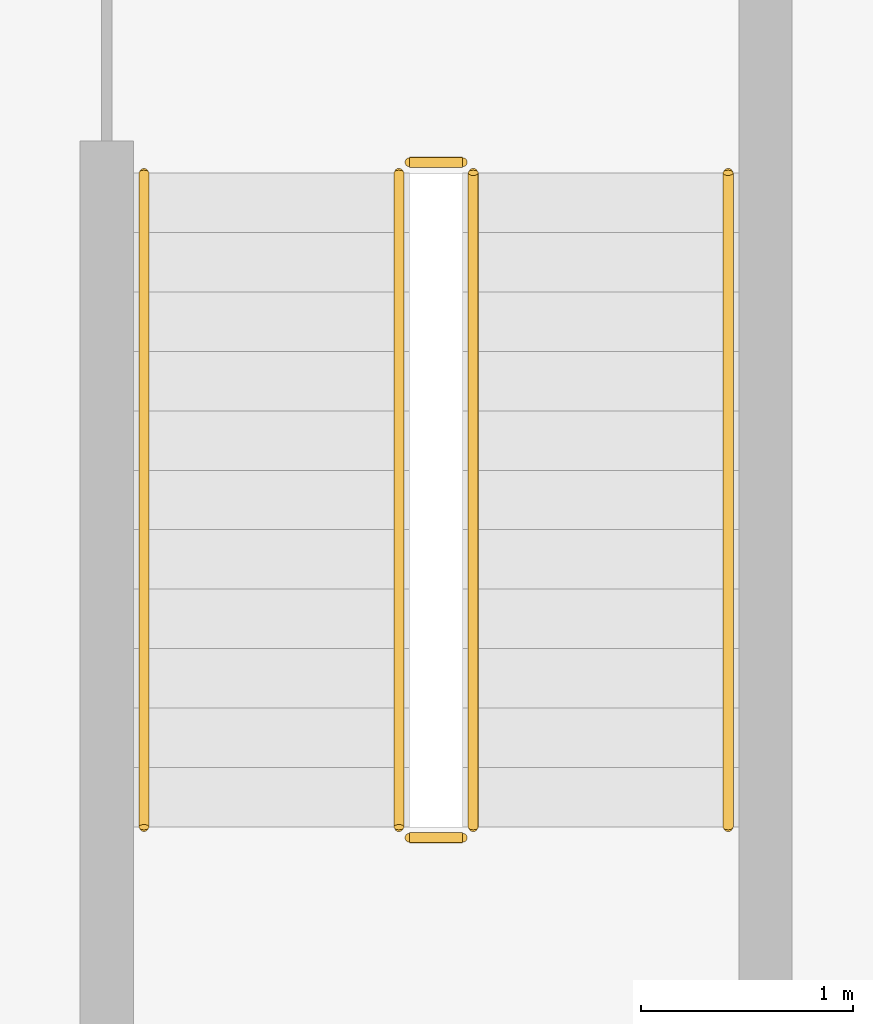
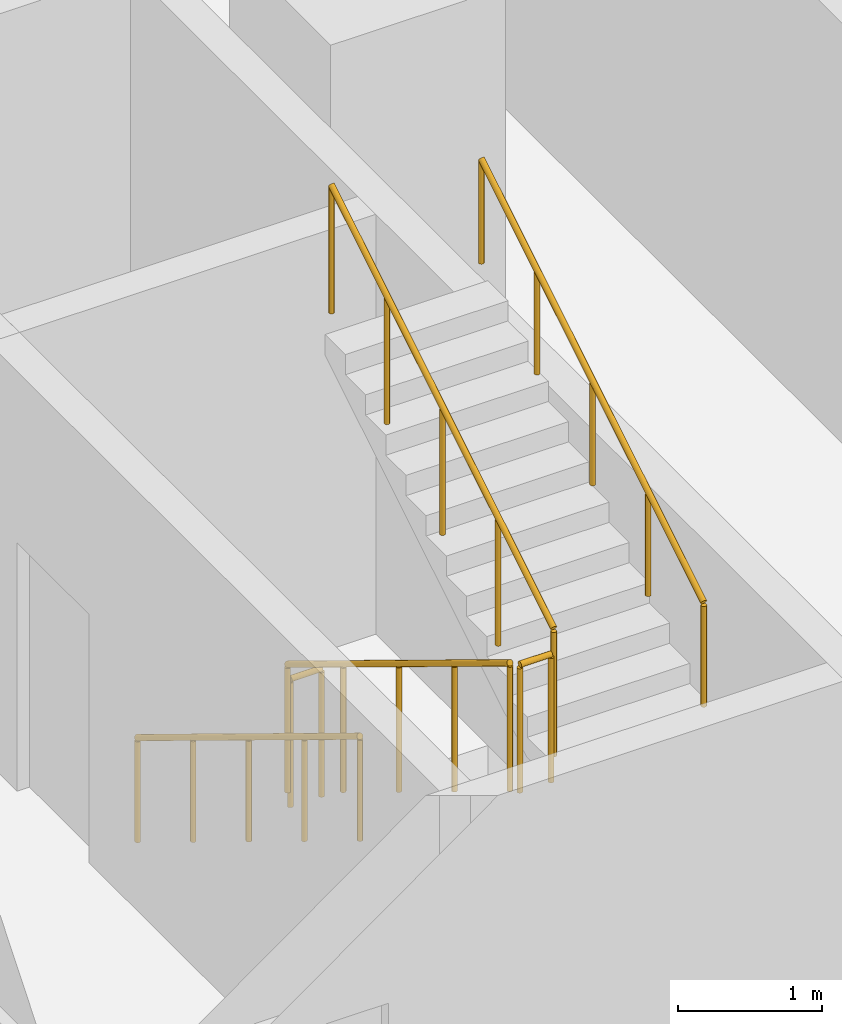
# One storey, part 24 of 29: 6 railings.
"""IFC4 building model written with IfcOpenShell, lengths in metres."""

import ifcopenshell
import ifcopenshell.guid

model = None  # the IFC model being written
_history = None  # IfcOwnerHistory: only IFC2X3 demands one
_inside = {}  # id of a spatial element -> (the spatial element, [elements in it])
_under = {}  # id of a project, library or spatial element -> (it, [spatial elements below it])
_declared = {}  # id of a project -> (the project, [libraries it declares])
_typed = {}  # id of a type object -> (the type object, [elements of that type])
_made_of = {}  # id of a material, layer set ... -> (it, [elements and type objects made of it])


def new_model(schema):
    """Start an empty IFC model of exactly this schema.

    Asked for "IFC4X3", IfcOpenShell would pick the latest addendum, in which some entities
    have other attributes; the version numbers below select the first issue.
    IFC2X3 requires an IfcOwnerHistory on every rooted entity: one is made here for all.
    """
    global model, _history
    if schema == "IFC4X3":
        model = ifcopenshell.file(schema_version=(4, 3, 0, 0))
    else:
        model = ifcopenshell.file(schema=schema)
    _inside.clear()
    _under.clear()
    _declared.clear()
    _typed.clear()
    _made_of.clear()
    _history = None
    if model.schema == "IFC2X3":
        org = make("IfcOrganization", Name="unknown")
        user = make(
            "IfcPersonAndOrganization",
            ThePerson=make("IfcPerson", FamilyName="unknown"),
            TheOrganization=org,
        )
        app = make(
            "IfcApplication",
            ApplicationDeveloper=org,
            Version="unknown",
            ApplicationFullName="unknown",
            ApplicationIdentifier="unknown",
        )
        _history = make(
            "IfcOwnerHistory",
            OwningUser=user,
            OwningApplication=app,
            ChangeAction="ADDED",
            CreationDate=0,
        )
    return model


def make(cls, **values):
    """One entity of the class cls with the attributes given. An attribute that is None is left unset."""
    return model.create_entity(
        cls, **{name: value for name, value in values.items() if value is not None}
    )


def rooted(cls, **values):
    """An entity with a GlobalId (a new one), such as an element, a storey or a relation."""
    return make(cls, GlobalId=ifcopenshell.guid.new(), OwnerHistory=_history, **values)


def si_unit(unit_type, name, prefix=None):
    """IfcSIUnit, for example si_unit("LENGTHUNIT", "METRE", prefix="MILLI")."""
    return make("IfcSIUnit", UnitType=unit_type, Prefix=prefix, Name=name)


def assignment(units):
    """IfcUnitAssignment: the units of a project."""
    return None if units is None else make("IfcUnitAssignment", Units=units)


def point(xyz):
    """IfcCartesianPoint."""
    return None if xyz is None else make("IfcCartesianPoint", Coordinates=xyz)


def direction(xyz):
    """IfcDirection."""
    return None if xyz is None else make("IfcDirection", DirectionRatios=xyz)


def frame(location, z_axis=None, x_axis=None):
    """IfcAxis2Placement3D, a coordinate frame: its origin and axes. An axis left out is left unset."""
    return make(
        "IfcAxis2Placement3D",
        Location=point(location),
        Axis=direction(z_axis),
        RefDirection=direction(x_axis),
    )


def frame_2d(location, x_axis=None):
    """IfcAxis2Placement2D, a coordinate frame in the plane: its origin and x axis."""
    return make(
        "IfcAxis2Placement2D", Location=point(location), RefDirection=direction(x_axis)
    )


def origin():
    """The frame at (0, 0, 0) with its axes left unset."""
    return frame((0.0, 0.0, 0.0))


def origin_2d():
    """The frame at (0, 0) in the plane with its x axis left unset."""
    return frame_2d((0.0, 0.0))


def place(relative_to, where):
    """IfcLocalPlacement: puts the frame where relative to a parent placement (None: the world)."""
    return make(
        "IfcLocalPlacement", PlacementRelTo=relative_to, RelativePlacement=where
    )


def context(
    kind, dimensions, precision=None, world=None, true_north=None, identifier=None
):
    """IfcGeometricRepresentationContext, for example the 3D "Model" context."""
    return make(
        "IfcGeometricRepresentationContext",
        ContextIdentifier=identifier,
        ContextType=kind,
        CoordinateSpaceDimension=dimensions,
        Precision=precision,
        WorldCoordinateSystem=world,
        TrueNorth=true_north,
    )


def subcontext(parent, identifier, kind, view, scale=None):
    """IfcGeometricRepresentationSubContext, for example "Body" below "Model"."""
    return make(
        "IfcGeometricRepresentationSubContext",
        ContextIdentifier=identifier,
        ContextType=kind,
        ParentContext=parent,
        TargetScale=scale,
        TargetView=view,
    )


def project(units=None, contexts=None):
    """IfcProject with its units and contexts."""
    return rooted(
        "IfcProject",
        Name="project",
        RepresentationContexts=contexts,
        UnitsInContext=assignment(units),
    )


def spatial(cls, under=None, at=None, **own):
    """A site, building, storey or space (cls), placed at a placement, below another one or the project."""
    s = rooted(cls, ObjectPlacement=at, **own)
    if under is not None:
        _under.setdefault(under.id(), (under, []))[1].append(s)
    return s


def profile(cls, at=None, kind="AREA", **sizes):
    """A parametric profile (cls). Its sizes go by their IFC names, for example OverallWidth=200.0."""
    return make(cls, ProfileType=kind, Position=at, **sizes)


def circle(**sizes):
    """IfcCircleProfileDef."""
    return profile("IfcCircleProfileDef", **sizes)


def extrude(swept, where, along, depth):
    """IfcExtrudedAreaSolid: the profile swept, set in the frame where, extruded along a direction by depth."""
    return make(
        "IfcExtrudedAreaSolid",
        SweptArea=swept,
        Position=where,
        ExtrudedDirection=direction(along),
        Depth=depth,
    )


def shape(context_of_items, identifier, shape_type, items):
    """IfcShapeRepresentation: the items that make up one representation, for example the "Body"."""
    return make(
        "IfcShapeRepresentation",
        ContextOfItems=context_of_items,
        RepresentationIdentifier=identifier,
        RepresentationType=shape_type,
        Items=items,
    )


def material(Name=None, Category=None):
    """IfcMaterial."""
    return make("IfcMaterial", Name=Name, Category=Category)


def made_of(thing, what):
    """Note that an element or type object is made of a material, layer set ...; save() writes the relation."""
    if what is not None:
        _made_of.setdefault(what.id(), (what, []))[1].append(thing)
    return thing


def type_object(cls, material=None, **own):
    """A type object (cls), such as IfcWallType, which elements share."""
    return made_of(rooted(cls, **own), material)


def element(
    cls,
    number,
    at=None,
    inside=None,
    cuts=None,
    type_object=None,
    material=None,
    context=None,
    identifier="Body",
    shape_type=None,
    held_by="IfcProductDefinitionShape",
    body=None,
    shapes=None,
    **own,
):
    """One element of the class cls, such as IfcWall. Its Tag is "e" and its number.

    at: its placement. inside: the storey or other place that contains it. cuts: it is an
    opening in that element (IfcRelVoidsElement). A single representation is given by context,
    identifier, shape_type and body (its items); several are given by shapes. held_by: the class
    of the entity that holds the representations. save() writes the other relations.
    """
    e = rooted(cls, Tag="e%d" % number, ObjectPlacement=at, **own)
    if body is not None:
        shapes = [shape(context, identifier, shape_type, body)]
    if shapes is not None:
        e.Representation = make(held_by, Representations=shapes)
    if inside is not None:
        _inside.setdefault(inside.id(), (inside, []))[1].append(e)
    if cuts is not None:
        rooted(
            "IfcRelVoidsElement", RelatingBuildingElement=cuts, RelatedOpeningElement=e
        )
    if type_object is not None:
        _typed.setdefault(type_object.id(), (type_object, []))[1].append(e)
    return made_of(e, material)


def aggregate(whole, parts):
    """IfcRelAggregates: a whole, such as a stair, and the parts it consists of."""
    return rooted("IfcRelAggregates", RelatingObject=whole, RelatedObjects=parts)


def save(model, path):
    """Write the relations noted so far, then the file.

    IfcRelAggregates (storeys below a building ...), IfcRelContainedInSpatialStructure (elements
    in a storey), IfcRelDefinesByType, IfcRelAssociatesMaterial and IfcRelDeclares: one each for
    every whole, place, type object, material and project.
    """
    for whole, parts in _under.values():
        aggregate(whole, parts)
    for where, things in _inside.values():
        rooted(
            "IfcRelContainedInSpatialStructure",
            RelatedElements=things,
            RelatingStructure=where,
        )
    for kind, things in _typed.values():
        rooted("IfcRelDefinesByType", RelatedObjects=things, RelatingType=kind)
    for what, things in _made_of.values():
        rooted("IfcRelAssociatesMaterial", RelatedObjects=things, RelatingMaterial=what)
    for by, libraries in _declared.values():
        rooted("IfcRelDeclares", RelatingContext=by, RelatedDefinitions=libraries)
    model.write(path)


model = new_model("IFC4")

# Units and contexts
model_context = context("Model", 3, precision=1e-05, world=origin(), true_north=direction((0.0, 1.0)))
body_context = subcontext(model_context, "Body", "Model", "MODEL_VIEW")
ifc_project = project(units=[si_unit("LENGTHUNIT", "METRE"), si_unit("AREAUNIT", "SQUARE_METRE"), si_unit("VOLUMEUNIT", "CUBIC_METRE"), si_unit("PLANEANGLEUNIT", "RADIAN"), si_unit("MASSUNIT", "GRAM", prefix="KILO")], contexts=[model_context])

# Site, building, storey
site_placement = place(None, origin())
site = spatial("IfcSite", under=ifc_project, at=site_placement, CompositionType="ELEMENT")
building_placement = place(site_placement, origin())
building = spatial("IfcBuilding", under=site, at=building_placement, Name="Mahtab Terrace Research Tower", CompositionType="ELEMENT")
storey_placement = place(building_placement, frame((0.0, 0.0, 113.5)))
storey = spatial("IfcBuildingStorey", under=building, at=storey_placement, Name="L26", CompositionType="ELEMENT", Elevation=113.5)

# Railings
ifc_material = material(Name="Stainless steel AISI 304", Category="steel")
railing_type_1 = type_object("IfcRailingType", Name="Stair guard 1100", PredefinedType="GUARDRAIL", material=ifc_material)
railing_1_placement = place(storey_placement, frame((2.949951171875, -4.175048828125, 0.1708984375)))
element("IfcRailing", 1, at=railing_1_placement, inside=storey, type_object=railing_type_1, Name="L26 ST2 stair guard 1", PredefinedType="GUARDRAIL", context=body_context, shape_type="SweptSolid", body=[
    extrude(circle(Radius=0.02392578125, at=origin_2d()), frame((0.0, 0.0, 1.076171875), z_axis=(0.0, -0.853647949592, 0.520850437417), x_axis=(1.0, 0.0, 0.0)), (0.0, 0.0, 1.0), 3.60791015625),
    extrude(circle(Radius=0.02099609375, at=origin_2d()), origin(), (0.0, 0.0, 1.0), 1.052001953125),
    extrude(circle(Radius=0.02099609375, at=origin_2d()), frame((0.0, -0.77001953125, 0.4697265625)), (0.0, 0.0, 1.0), 1.052001953125),
    extrude(circle(Radius=0.02099609375, at=origin_2d()), frame((0.0, -1.5400390625, 0.939453125)), (0.0, 0.0, 1.0), 1.052001953125),
    extrude(circle(Radius=0.02099609375, at=origin_2d()), frame((0.0, -2.309814453125, 1.409423828125)), (0.0, 0.0, 1.0), 1.052001953125),
    extrude(circle(Radius=0.02099609375, at=origin_2d()), frame((0.0, -3.079833984375, 1.879150390625)), (0.0, 0.0, 1.0), 1.052001953125),
])
railing_2_placement = place(storey_placement, frame((3.0, -7.304931640625, 2.050048828125)))
element("IfcRailing", 2, at=railing_2_placement, inside=storey, type_object=railing_type_1, Name="L26 ST2 stair guard 2", PredefinedType="GUARDRAIL", context=body_context, shape_type="SweptSolid", body=[
    extrude(circle(Radius=0.02392578125, at=origin_2d()), frame((0.0, 0.0, 1.076171875), z_axis=(1.0, 0.0, 0.0), x_axis=(0.0, 1.0, 0.0)), (0.0, 0.0, 1.0), 0.25),
    extrude(circle(Radius=0.02099609375, at=origin_2d()), origin(), (0.0, 0.0, 1.0), 1.052001953125),
    extrude(circle(Radius=0.02099609375, at=origin_2d()), frame((0.25, 0.0, 0.0)), (0.0, 0.0, 1.0), 1.052001953125),
])
railing_3_placement = place(storey_placement, frame((3.300048828125, -7.2548828125, 2.220947265625)))
element("IfcRailing", 3, at=railing_3_placement, inside=storey, type_object=railing_type_1, Name="L26 ST2 stair guard 3", PredefinedType="GUARDRAIL", context=body_context, shape_type="SweptSolid", body=[
    extrude(circle(Radius=0.02392578125, at=origin_2d()), frame((0.0, 0.0, 1.076171875), z_axis=(0.0, 0.853647949592, 0.520850437417), x_axis=(-1.0, 0.0, 0.0)), (0.0, 0.0, 1.0), 3.60791015625),
    extrude(circle(Radius=0.02099609375, at=origin_2d()), origin(), (0.0, 0.0, 1.0), 1.052001953125),
    extrude(circle(Radius=0.02099609375, at=origin_2d()), frame((0.0, 0.77001953125, 0.4697265625)), (0.0, 0.0, 1.0), 1.052001953125),
    extrude(circle(Radius=0.02099609375, at=origin_2d()), frame((0.0, 1.5400390625, 0.939453125)), (0.0, 0.0, 1.0), 1.052001953125),
    extrude(circle(Radius=0.02099609375, at=origin_2d()), frame((0.0, 2.309814453125, 1.409423828125)), (0.0, 0.0, 1.0), 1.052001953125),
    extrude(circle(Radius=0.02099609375, at=origin_2d()), frame((0.0, 3.079833984375, 1.879150390625)), (0.0, 0.0, 1.0), 1.052001953125),
])
railing_4_placement = place(storey_placement, frame((3.0, -4.125, 0.0)))
element("IfcRailing", 4, at=railing_4_placement, inside=storey, type_object=railing_type_1, Name="L26 ST2 stair guard 4", PredefinedType="GUARDRAIL", context=body_context, shape_type="SweptSolid", body=[
    extrude(circle(Radius=0.02392578125, at=origin_2d()), frame((0.0, 0.0, 1.076171875), z_axis=(1.0, 0.0, 0.0), x_axis=(0.0, 1.0, 0.0)), (0.0, 0.0, 1.0), 0.25),
    extrude(circle(Radius=0.02099609375, at=origin_2d()), origin(), (0.0, 0.0, 1.0), 1.052001953125),
    extrude(circle(Radius=0.02099609375, at=origin_2d()), frame((0.25, 0.0, 0.0)), (0.0, 0.0, 1.0), 1.052001953125),
])
railing_type_2 = type_object("IfcRailingType", Name="Stair handrail 900", PredefinedType="HANDRAIL", material=ifc_material)
railing_5_placement = place(storey_placement, frame((1.75, -4.175048828125, 0.1708984375)))
element("IfcRailing", 5, at=railing_5_placement, inside=storey, type_object=railing_type_2, Name="L26 ST2 stair handrail 1", PredefinedType="HANDRAIL", context=body_context, shape_type="SweptSolid", body=[
    extrude(circle(Radius=0.02392578125, at=origin_2d()), frame((0.0, 0.0, 0.8759765625), z_axis=(0.0, -0.853647949592, 0.520850437417), x_axis=(1.0, 0.0, 0.0)), (0.0, 0.0, 1.0), 3.60791015625),
    extrude(circle(Radius=0.02099609375, at=origin_2d()), origin(), (0.0, 0.0, 1.0), 0.851806640625),
    extrude(circle(Radius=0.02099609375, at=origin_2d()), frame((0.0, -0.77001953125, 0.4697265625)), (0.0, 0.0, 1.0), 0.851806640625),
    extrude(circle(Radius=0.02099609375, at=origin_2d()), frame((0.0, -1.5400390625, 0.939453125)), (0.0, 0.0, 1.0), 0.851806640625),
    extrude(circle(Radius=0.02099609375, at=origin_2d()), frame((0.0, -2.309814453125, 1.409423828125)), (0.0, 0.0, 1.0), 0.851806640625),
    extrude(circle(Radius=0.02099609375, at=origin_2d()), frame((0.0, -3.079833984375, 1.879150390625)), (0.0, 0.0, 1.0), 0.851806640625),
])
railing_6_placement = place(storey_placement, frame((4.5, -7.2548828125, 2.220947265625)))
element("IfcRailing", 6, at=railing_6_placement, inside=storey, type_object=railing_type_2, Name="L26 ST2 stair handrail 2", PredefinedType="HANDRAIL", context=body_context, shape_type="SweptSolid", body=[
    extrude(circle(Radius=0.02392578125, at=origin_2d()), frame((0.0, 0.0, 0.8759765625), z_axis=(0.0, 0.853647949592, 0.520850437417), x_axis=(-1.0, 0.0, 0.0)), (0.0, 0.0, 1.0), 3.60791015625),
    extrude(circle(Radius=0.02099609375, at=origin_2d()), origin(), (0.0, 0.0, 1.0), 0.851806640625),
    extrude(circle(Radius=0.02099609375, at=origin_2d()), frame((0.0, 0.77001953125, 0.4697265625)), (0.0, 0.0, 1.0), 0.851806640625),
    extrude(circle(Radius=0.02099609375, at=origin_2d()), frame((0.0, 1.5400390625, 0.939453125)), (0.0, 0.0, 1.0), 0.851806640625),
    extrude(circle(Radius=0.02099609375, at=origin_2d()), frame((0.0, 2.309814453125, 1.409423828125)), (0.0, 0.0, 1.0), 0.851806640625),
    extrude(circle(Radius=0.02099609375, at=origin_2d()), frame((0.0, 3.079833984375, 1.879150390625)), (0.0, 0.0, 1.0), 0.851806640625),
])

save(model, "model.ifc")
